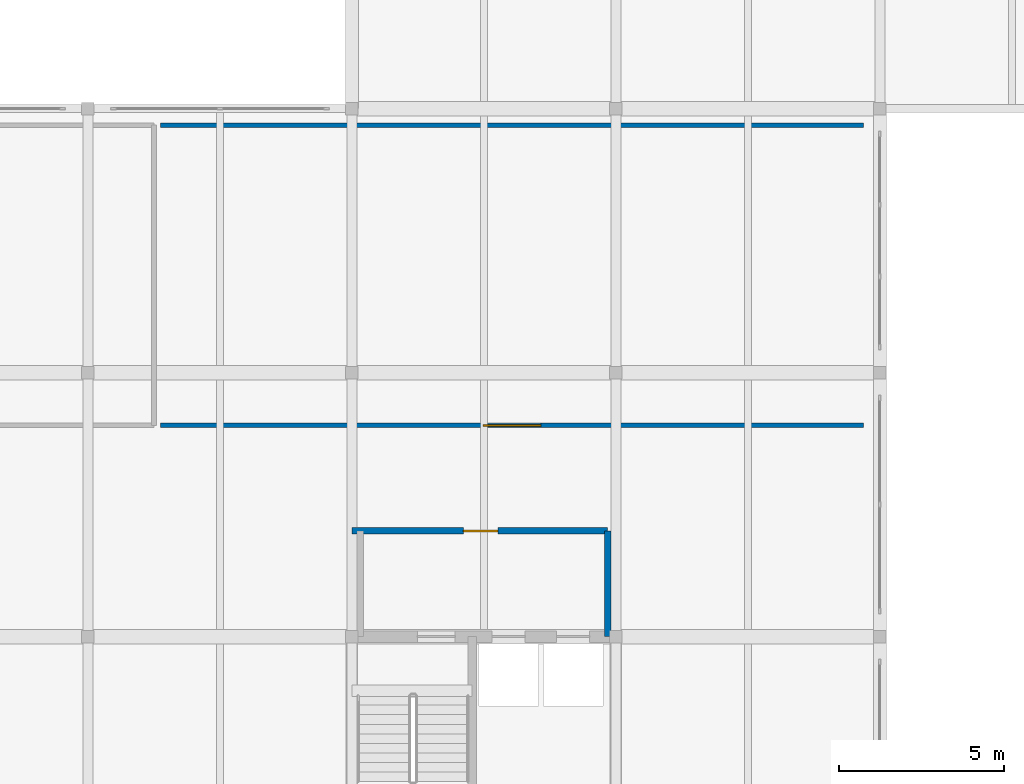
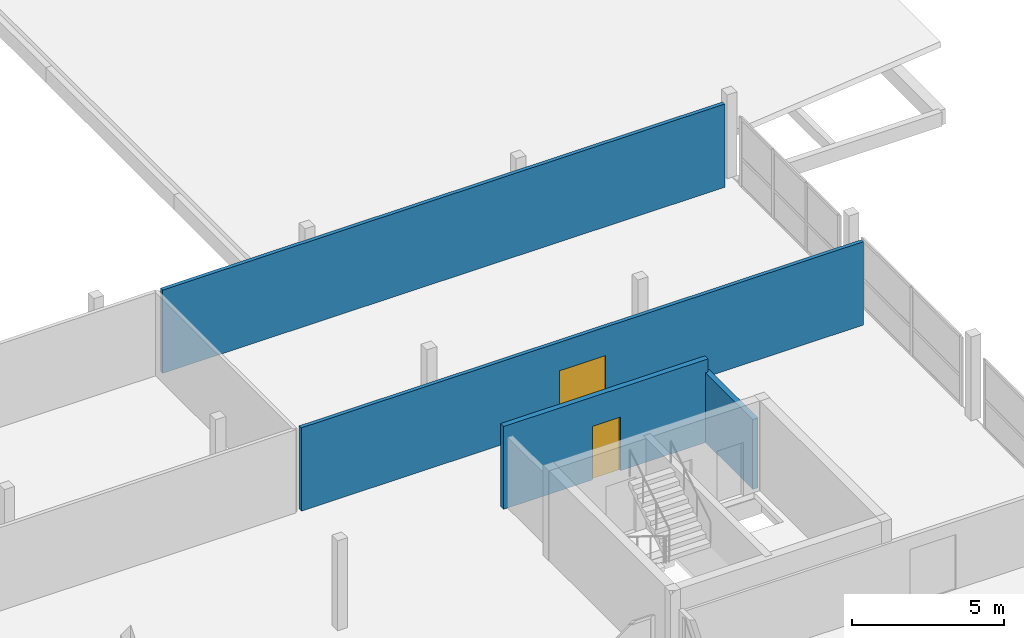
# One storey, part 24 of 34: 4 walls, 2 doors, 2 openings.
"""IFC4 building model written with IfcOpenShell, lengths in metres."""

from ifc_helpers import new_model, si_unit, direction, frame, frame_2d, origin, place, context, subcontext, project, spatial, rectangle, extrude, material, layer, layer_set, type_object, element, fill, save


model = new_model("IFC4")

# Units and contexts
model_context = context("Model", 3, precision=1e-05, world=origin(), true_north=direction((0.0, 1.0)))
body_context = subcontext(model_context, "Body", "Model", "MODEL_VIEW")
ifc_project = project(units=[si_unit("LENGTHUNIT", "METRE"), si_unit("AREAUNIT", "SQUARE_METRE"), si_unit("VOLUMEUNIT", "CUBIC_METRE"), si_unit("PLANEANGLEUNIT", "RADIAN"), si_unit("MASSUNIT", "GRAM", prefix="KILO")], contexts=[model_context])

# Site, building, storey
site_placement = place(None, origin())
site = spatial("IfcSite", under=ifc_project, at=site_placement, CompositionType="ELEMENT")
building_placement = place(site_placement, origin())
building = spatial("IfcBuilding", under=site, at=building_placement, Name="Vharandega Faculty of Natural Sciences", CompositionType="ELEMENT")
storey_placement = place(building_placement, frame((0.0, 0.0, 21.60009765625)))
storey = spatial("IfcBuildingStorey", under=building, at=storey_placement, Name="L05", CompositionType="ELEMENT", Elevation=21.60009765625)

# Wall, opening, door
ifc_material_1 = material(Name="Concrete C40/50", Category="concrete")
ifc_layer_1 = layer(ifc_material_1, 0.199951171875, Name="Concrete C40/50")
ifc_layer_set_1 = layer_set([ifc_layer_1], Name="Concrete C40/50")
wall_type_1 = type_object("IfcWallType", Name="Firefighting Lobby Wall 200", PredefinedType="PARTITIONING", material=ifc_layer_set_1)
wall_1_placement = place(storey_placement, frame((32.0, 51.199951171875, 0.0), z_axis=(0.0, 0.0, 1.0), x_axis=(1.0, 0.0, 0.0)))
wall_1 = element("IfcWall", 1, at=wall_1_placement, inside=storey, type_object=wall_type_1, Name="Interior Wall PW-LL-C3-L05-N", PredefinedType="PARTITIONING", context=body_context, shape_type="SweptSolid", body=[
    extrude(rectangle(XDim=7.75, YDim=0.199951171875, at=frame_2d((3.875, 0.0))), origin(), (0.0, 0.0, 1.0), 3.31982421875),
])
opening_1_placement = place(wall_1_placement, frame((3.375, 0.0, 0.0)))
opening_1 = element("IfcOpeningElement", 2, at=opening_1_placement, cuts=wall_1, Name="Opening FD4", PredefinedType="OPENING", context=body_context, shape_type="SweptSolid", body=[
    extrude(rectangle(XDim=1.050048828125, YDim=2.14990234375, at=frame_2d((0.52490234375, 1.074951171875))), frame((0.0, 0.10986328125, 0.0), z_axis=(0.0, -1.0, 0.0), x_axis=(1.0, 0.0, 0.0)), (0.0, 0.0, 1.0), 0.219970703125),
])
ifc_material_2 = material(Name="Solid-core hardwood timber fire door", Category="wood")
door_type_1 = type_object("IfcDoorType", Name="FD4-LAB-SGL-1050x2150", OperationType="NOTDEFINED", PredefinedType="DOOR", material=ifc_material_2)
door_1_placement = place(opening_1_placement, origin())
door_1 = element("IfcDoor", 3, at=door_1_placement, inside=storey, type_object=door_type_1, Name="Lift Lobby C3 Door FD4", OperationType="SINGLE_SWING_RIGHT", OverallHeight=2.14990234375, OverallWidth=1.050048828125, PredefinedType="DOOR", context=body_context, shape_type="SweptSolid", body=[
    extrude(rectangle(XDim=1.050048828125, YDim=2.14990234375, at=frame_2d((0.52490234375, 1.074951171875))), frame((0.0, 0.02490234375, 0.0), z_axis=(0.0, -1.0, 0.0), x_axis=(1.0, 0.0, 0.0)), (0.0, 0.0, 1.0), 0.050048828125),
])
fill(opening_1, door_1)

# Wall
wall_2_placement = place(storey_placement, frame((39.75, 48.0, 0.0), z_axis=(0.0, 0.0, 1.0), x_axis=(0.0, 1.0, 0.0)))
element("IfcWall", 4, at=wall_2_placement, inside=storey, type_object=wall_type_1, Name="Interior Wall PW-LL-C3-L05-E", PredefinedType="PARTITIONING", context=body_context, shape_type="SweptSolid", body=[
    extrude(rectangle(XDim=3.199951171875, YDim=0.199951171875, at=frame_2d((1.60009765625, 0.0))), origin(), (0.0, 0.0, 1.0), 2.7998046875),
])

# Wall, opening, door
ifc_material_3 = material(Name="Gypsum acoustic partition", Category="gypsum")
ifc_layer_2 = layer(ifc_material_3, 0.139892578125, Name="Gypsum acoustic partition")
ifc_layer_set_2 = layer_set([ifc_layer_2], Name="Gypsum acoustic partition")
wall_type_2 = type_object("IfcWallType", Name="Room Partition Wall 140", PredefinedType="PARTITIONING", material=ifc_layer_set_2)
wall_3_placement = place(storey_placement, frame((26.199951171875, 54.39990234375, 0.0), z_axis=(0.0, 0.0, 1.0), x_axis=(1.0, 0.0, 0.0)))
wall_3 = element("IfcWall", 5, at=wall_3_placement, inside=storey, type_object=wall_type_2, Name="Interior Wall PW-L05-R04S", PredefinedType="PARTITIONING", context=body_context, shape_type="SweptSolid", body=[
    extrude(rectangle(XDim=21.300048828125, YDim=0.139892578125, at=frame_2d((10.64990234375, 0.0))), origin(), (0.0, 0.0, 1.0), 3.33984375),
])
opening_2_placement = place(wall_3_placement, frame((9.77490234375, 0.0, 0.0)))
opening_2 = element("IfcOpeningElement", 6, at=opening_2_placement, cuts=wall_3, Name="Opening D0310", PredefinedType="OPENING", context=body_context, shape_type="SweptSolid", body=[
    extrude(rectangle(XDim=1.75, YDim=2.199951171875, at=frame_2d((0.875, 1.10009765625))), frame((0.0, 0.080078125, 0.0), z_axis=(0.0, -1.0, 0.0), x_axis=(1.0, 0.0, 0.0)), (0.0, 0.0, 1.0), 0.159912109375),
])
ifc_material_4 = material(Name="Solid-core hardwood timber fire door", Category="wood")
door_type_2 = type_object("IfcDoorType", Name="ID09-HERBARIUM-DBL-1750x2200", OperationType="DOUBLE_DOOR_SINGLE_SWING", PredefinedType="DOOR", material=ifc_material_4)
door_2_placement = place(opening_2_placement, origin())
door_2 = element("IfcDoor", 7, at=door_2_placement, inside=storey, type_object=door_type_2, Name="Faculty Tutorial Room 502 Door D0310", OperationType="DOUBLE_DOOR_SINGLE_SWING", OverallHeight=2.199951171875, OverallWidth=1.75, PredefinedType="DOOR", context=body_context, shape_type="SweptSolid", body=[
    extrude(rectangle(XDim=1.75, YDim=2.199951171875, at=frame_2d((0.875, 1.10009765625))), frame((0.0, 0.02490234375, 0.0), z_axis=(0.0, -1.0, 0.0), x_axis=(1.0, 0.0, 0.0)), (0.0, 0.0, 1.0), 0.050048828125),
])
fill(opening_2, door_2)

# Wall
wall_4_placement = place(storey_placement, frame((26.199951171875, 63.5, 0.0), z_axis=(0.0, 0.0, 1.0), x_axis=(1.0, 0.0, 0.0)))
element("IfcWall", 8, at=wall_4_placement, inside=storey, type_object=wall_type_2, Name="Interior Wall PW-L05-R04N", PredefinedType="PARTITIONING", context=body_context, shape_type="SweptSolid", body=[
    extrude(rectangle(XDim=21.300048828125, YDim=0.139892578125, at=frame_2d((10.64990234375, 0.0))), origin(), (0.0, 0.0, 1.0), 3.33984375),
])

save(model, "model.ifc")
